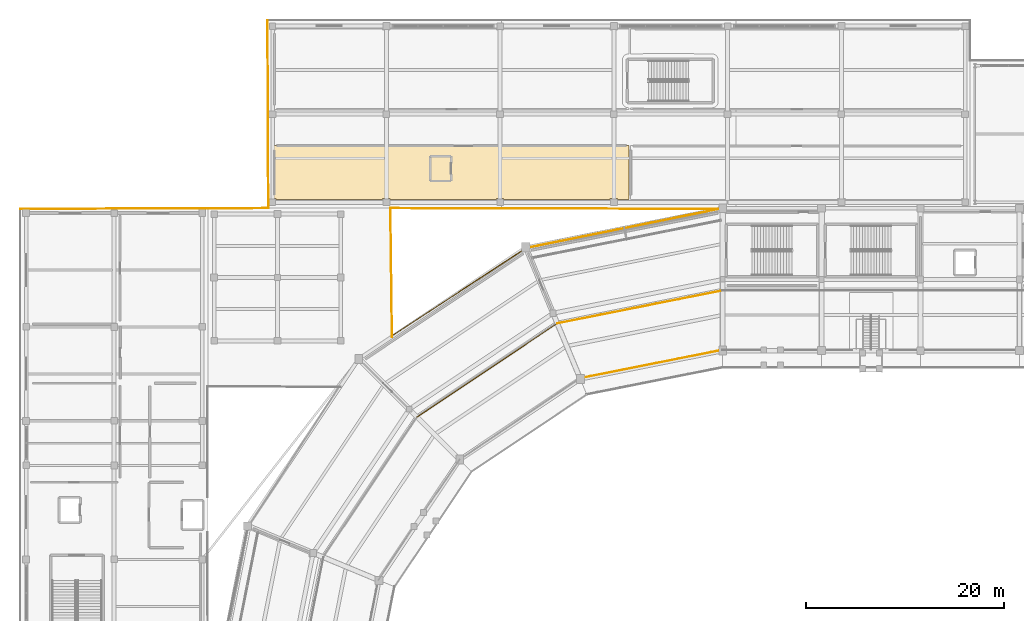
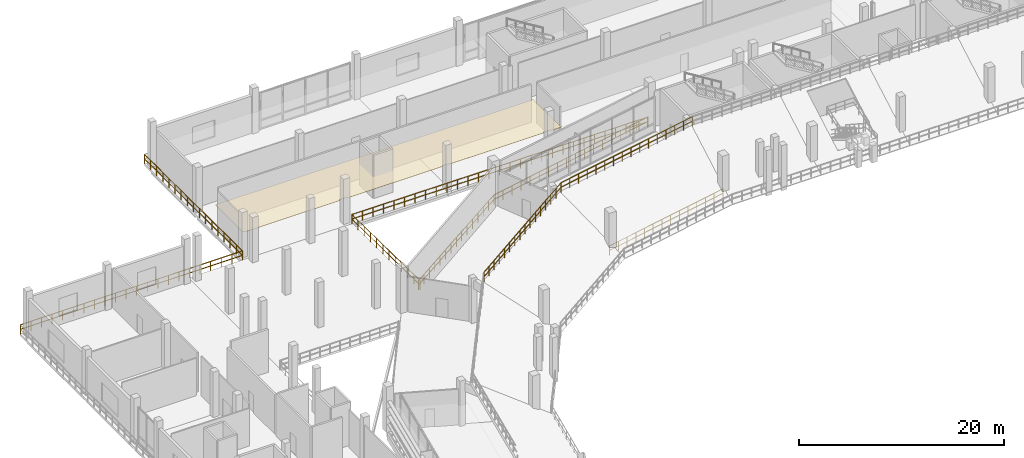
# One storey, part 119 of 127: 9 railings, 1 covering.
"""IFC4 building model written with IfcOpenShell, lengths in metres."""

from ifc_helpers import new_model, si_unit, direction, frame, origin, origin_2d, place, context, subcontext, project, spatial, polyline, circle, outline, extrude, material, layer, layer_set, type_object, element, save


model = new_model("IFC4")

# Units and contexts
model_context = context("Model", 3, precision=1e-05, world=origin(), true_north=direction((0.0, 1.0)))
body_context = subcontext(model_context, "Body", "Model", "MODEL_VIEW")
ifc_project = project(units=[si_unit("LENGTHUNIT", "METRE"), si_unit("AREAUNIT", "SQUARE_METRE"), si_unit("VOLUMEUNIT", "CUBIC_METRE"), si_unit("PLANEANGLEUNIT", "RADIAN"), si_unit("MASSUNIT", "GRAM", prefix="KILO")], contexts=[model_context])

# Site, building, storey
site_placement = place(None, origin())
site = spatial("IfcSite", under=ifc_project, at=site_placement, CompositionType="ELEMENT")
building_placement = place(site_placement, origin())
building = spatial("IfcBuilding", under=site, at=building_placement, Name="Candeia Ridge Stadium", CompositionType="ELEMENT")
storey_placement = place(building_placement, frame((0.0, 0.0, 10.800048828125)))
storey = spatial("IfcBuildingStorey", under=building, at=storey_placement, Name="L02", CompositionType="ELEMENT", Elevation=10.800048828125)

# Covering
ifc_material_1 = material(Name="Western Red Cedar Acoustic Slat", Category="wood")
ifc_layer_1 = layer(ifc_material_1, 0.044921875, Name="Western Red Cedar Acoustic Slat", Category="wood")
ifc_layer_set_1 = layer_set([ifc_layer_1], Name="Western Red Cedar Acoustic Slat")
covering_type = type_object("IfcCoveringType", Name="Slatted Cedar Acoustic Ceiling 45", PredefinedType="CEILING", material=ifc_layer_set_1)
covering_placement = place(storey_placement, frame((0.0, 0.0, 2.510009765625)))
element("IfcCovering", 1, at=covering_placement, inside=storey, type_object=covering_type, Name="Acoustic ceiling North Club Supporters Lounge Bowl Side", PredefinedType="CEILING", context=body_context, shape_type="SweptSolid", body=[
    extrude(outline(polyline([(25.670166015625, 153.302978515625), (25.670654296875, 153.305908203125), (25.67138671875, 153.30859375), (25.67236328125, 153.3115234375), (25.673583984375, 153.314208984375), (25.675048828125, 153.316650390625), (25.6767578125, 153.319091796875), (25.6787109375, 153.3212890625), (25.680908203125, 153.3232421875), (25.683349609375, 153.324951171875), (25.685791015625, 153.326416015625), (25.6884765625, 153.32763671875), (25.69140625, 153.32861328125), (25.694091796875, 153.329345703125), (25.697021484375, 153.329833984375), (25.699951171875, 153.330078125), (61.5, 153.330078125), (61.5029296875, 153.329833984375), (61.505859375, 153.329345703125), (61.5087890625, 153.32861328125), (61.511474609375, 153.32763671875), (61.51416015625, 153.326416015625), (61.5166015625, 153.324951171875), (61.51904296875, 153.3232421875), (61.521240234375, 153.3212890625), (61.523193359375, 153.319091796875), (61.52490234375, 153.316650390625), (61.526611328125, 153.314208984375), (61.527587890625, 153.3115234375), (61.52880859375, 153.30859375), (61.529296875, 153.305908203125), (61.52978515625, 153.302978515625), (61.530029296875, 153.300048828125), (61.530029296875, 147.89990234375), (61.52978515625, 147.897216796875), (61.529296875, 147.89404296875), (61.52880859375, 147.891357421875), (61.527587890625, 147.888427734375), (61.526611328125, 147.885986328125), (61.52490234375, 147.88330078125), (61.523193359375, 147.881103515625), (61.521240234375, 147.87890625), (61.51904296875, 147.876708984375), (61.5166015625, 147.875), (61.51416015625, 147.87353515625), (61.511474609375, 147.872314453125), (61.5087890625, 147.871337890625), (61.505859375, 147.87060546875), (61.5029296875, 147.8701171875), (61.5, 147.8701171875), (60.389892578125, 147.8701171875), (60.389892578125, 147.989990234375), (59.610107421875, 147.989990234375), (59.610107421875, 147.8701171875), (48.864990234375, 147.8701171875), (48.864990234375, 147.965087890625), (48.135009765625, 147.965087890625), (48.135009765625, 147.8701171875), (37.389892578125, 147.8701171875), (37.389892578125, 147.989990234375), (36.610107421875, 147.989990234375), (36.610107421875, 147.8701171875), (25.864990234375, 147.8701171875), (25.864990234375, 147.965087890625), (25.669921875, 147.965087890625), (25.669921875, 153.300048828125), (25.670166015625, 153.302978515625)])), origin(), (0.0, 0.0, 1.0), 0.0400390625),
])

# Railings
ifc_material_2 = material(Name="Galvanized Powder-Coated Steel", Category="steel")
ifc_layer_2 = layer(ifc_material_2, 0.074951171875, Name="Galvanized Powder-Coated Steel", Category="steel")
ifc_layer_set_2 = layer_set([ifc_layer_2], Name="Galvanized Powder-Coated Steel")
railing_type = type_object("IfcRailingType", Name="Spectator Bowl Front Guardrail 1120", PredefinedType="GUARDRAIL", material=ifc_layer_set_2)
railing_1_placement = place(storey_placement, frame((71.0, 138.679931640625, 4.949951171875)))
element("IfcRailing", 2, at=railing_1_placement, inside=storey, type_object=railing_type, Name="Stand T2 rear safety guardrail bay 08", PredefinedType="GUARDRAIL", context=body_context, shape_type="SweptSolid", body=[
    extrude(circle(Radius=0.02392578125, at=origin_2d()), frame((0.0, 0.0, 1.09619140625), z_axis=(-0.980785096916, -0.195091244467, 0.0), x_axis=(0.195091244467, -0.980785096916, 0.0)), (0.0, 0.0, 1.0), 17.04296875),
    extrude(circle(Radius=0.02392578125, at=origin_2d()), frame((0.0, 0.0, 0.56005859375), z_axis=(-0.980785096916, -0.195091244467, 0.0), x_axis=(0.195091244467, -0.980785096916, 0.0)), (0.0, 0.0, 1.0), 17.04296875),
    extrude(circle(Radius=0.02099609375, at=origin_2d()), origin(), (0.0, 0.0, 1.0), 1.072021484375),
    extrude(circle(Radius=0.02099609375, at=origin_2d()), frame((-1.1142578125, -0.2216796875, 0.0)), (0.0, 0.0, 1.0), 1.072021484375),
    extrude(circle(Radius=0.02099609375, at=origin_2d()), frame((-2.228759765625, -0.443359375, 0.0)), (0.0, 0.0, 1.0), 1.072021484375),
    extrude(circle(Radius=0.02099609375, at=origin_2d()), frame((-3.343017578125, -0.6650390625, 0.0)), (0.0, 0.0, 1.0), 1.072021484375),
    extrude(circle(Radius=0.02099609375, at=origin_2d()), frame((-4.45751953125, -0.88671875, 0.0)), (0.0, 0.0, 1.0), 1.072021484375),
    extrude(circle(Radius=0.02099609375, at=origin_2d()), frame((-5.57177734375, -1.1083984375, 0.0)), (0.0, 0.0, 1.0), 1.072021484375),
    extrude(circle(Radius=0.02099609375, at=origin_2d()), frame((-6.686279296875, -1.330078125, 0.0)), (0.0, 0.0, 1.0), 1.072021484375),
    extrude(circle(Radius=0.02099609375, at=origin_2d()), frame((-7.800537109375, -1.5517578125, 0.0)), (0.0, 0.0, 1.0), 1.072021484375),
    extrude(circle(Radius=0.02099609375, at=origin_2d()), frame((-8.9150390625, -1.773193359375, 0.0)), (0.0, 0.0, 1.0), 1.072021484375),
    extrude(circle(Radius=0.02099609375, at=origin_2d()), frame((-10.029296875, -1.994873046875, 0.0)), (0.0, 0.0, 1.0), 1.072021484375),
    extrude(circle(Radius=0.02099609375, at=origin_2d()), frame((-11.143798828125, -2.216552734375, 0.0)), (0.0, 0.0, 1.0), 1.072021484375),
    extrude(circle(Radius=0.02099609375, at=origin_2d()), frame((-12.258056640625, -2.438232421875, 0.0)), (0.0, 0.0, 1.0), 1.072021484375),
    extrude(circle(Radius=0.02099609375, at=origin_2d()), frame((-13.37255859375, -2.659912109375, 0.0)), (0.0, 0.0, 1.0), 1.072021484375),
    extrude(circle(Radius=0.02099609375, at=origin_2d()), frame((-14.48681640625, -2.881591796875, 0.0)), (0.0, 0.0, 1.0), 1.072021484375),
    extrude(circle(Radius=0.02099609375, at=origin_2d()), frame((-15.601318359375, -3.103271484375, 0.0)), (0.0, 0.0, 1.0), 1.072021484375),
    extrude(circle(Radius=0.02099609375, at=origin_2d()), frame((-16.715576171875, -3.324951171875, 0.0)), (0.0, 0.0, 1.0), 1.072021484375),
])
railing_2_placement = place(storey_placement, frame((54.284423828125, 135.35498046875, 4.949951171875)))
element("IfcRailing", 3, at=railing_2_placement, inside=storey, type_object=railing_type, Name="Stand T2 rear safety guardrail bay 09", PredefinedType="GUARDRAIL", context=body_context, shape_type="SweptSolid", body=[
    extrude(circle(Radius=0.02392578125, at=origin_2d()), frame((0.0, 0.0, 1.09619140625), z_axis=(-0.831474647059, -0.5555626979, 0.0), x_axis=(0.5555626979, -0.831474647059, 0.0)), (0.0, 0.0, 1.0), 17.043212890625),
    extrude(circle(Radius=0.02392578125, at=origin_2d()), frame((0.0, 0.0, 0.56005859375), z_axis=(-0.831474647059, -0.5555626979, 0.0), x_axis=(0.5555626979, -0.831474647059, 0.0)), (0.0, 0.0, 1.0), 17.043212890625),
    extrude(circle(Radius=0.02099609375, at=origin_2d()), origin(), (0.0, 0.0, 1.0), 1.072021484375),
    extrude(circle(Radius=0.02099609375, at=origin_2d()), frame((-0.94482421875, -0.63134765625, 0.0)), (0.0, 0.0, 1.0), 1.072021484375),
    extrude(circle(Radius=0.02099609375, at=origin_2d()), frame((-1.889404296875, -1.262451171875, 0.0)), (0.0, 0.0, 1.0), 1.072021484375),
    extrude(circle(Radius=0.02099609375, at=origin_2d()), frame((-2.834228515625, -1.893798828125, 0.0)), (0.0, 0.0, 1.0), 1.072021484375),
    extrude(circle(Radius=0.02099609375, at=origin_2d()), frame((-3.77880859375, -2.52490234375, 0.0)), (0.0, 0.0, 1.0), 1.072021484375),
    extrude(circle(Radius=0.02099609375, at=origin_2d()), frame((-4.7236328125, -3.15625, 0.0)), (0.0, 0.0, 1.0), 1.072021484375),
    extrude(circle(Radius=0.02099609375, at=origin_2d()), frame((-5.66845703125, -3.787353515625, 0.0)), (0.0, 0.0, 1.0), 1.072021484375),
    extrude(circle(Radius=0.02099609375, at=origin_2d()), frame((-6.613037109375, -4.418701171875, 0.0)), (0.0, 0.0, 1.0), 1.072021484375),
    extrude(circle(Radius=0.02099609375, at=origin_2d()), frame((-7.557861328125, -5.0498046875, 0.0)), (0.0, 0.0, 1.0), 1.072021484375),
    extrude(circle(Radius=0.02099609375, at=origin_2d()), frame((-8.50244140625, -5.68115234375, 0.0)), (0.0, 0.0, 1.0), 1.072021484375),
    extrude(circle(Radius=0.02099609375, at=origin_2d()), frame((-9.447265625, -6.312255859375, 0.0)), (0.0, 0.0, 1.0), 1.072021484375),
    extrude(circle(Radius=0.02099609375, at=origin_2d()), frame((-10.39208984375, -6.943603515625, 0.0)), (0.0, 0.0, 1.0), 1.072021484375),
    extrude(circle(Radius=0.02099609375, at=origin_2d()), frame((-11.336669921875, -7.57470703125, 0.0)), (0.0, 0.0, 1.0), 1.072021484375),
    extrude(circle(Radius=0.02099609375, at=origin_2d()), frame((-12.281494140625, -8.2060546875, 0.0)), (0.0, 0.0, 1.0), 1.072021484375),
    extrude(circle(Radius=0.02099609375, at=origin_2d()), frame((-13.22607421875, -8.837158203125, 0.0)), (0.0, 0.0, 1.0), 1.072021484375),
    extrude(circle(Radius=0.02099609375, at=origin_2d()), frame((-14.1708984375, -9.468505859375, 0.0)), (0.0, 0.0, 1.0), 1.072021484375),
])
railing_3_placement = place(storey_placement, frame((0.0, 146.919921875, 0.0)))
element("IfcRailing", 4, at=railing_3_placement, inside=storey, type_object=railing_type, Name="Deck edge safety guardrail GR-DE-L02-0054", PredefinedType="GUARDRAIL", context=body_context, shape_type="SweptSolid", body=[
    extrude(circle(Radius=0.02392578125, at=origin_2d()), frame((0.0, 0.0, 1.09619140625), z_axis=(0.999994902741, 0.003192881474, 0.0), x_axis=(-0.003192881474, 0.999994902741, 0.0)), (0.0, 0.0, 1.0), 25.080322265625),
    extrude(circle(Radius=0.02392578125, at=origin_2d()), frame((0.0, 0.0, 0.56005859375), z_axis=(0.999994902741, 0.003192881474, 0.0), x_axis=(-0.003192881474, 0.999994902741, 0.0)), (0.0, 0.0, 1.0), 25.080322265625),
    extrude(circle(Radius=0.02099609375, at=origin_2d()), origin(), (0.0, 0.0, 1.0), 1.072021484375),
    extrude(circle(Radius=0.02099609375, at=origin_2d()), frame((1.1943359375, 0.00390625, 0.0)), (0.0, 0.0, 1.0), 1.072021484375),
    extrude(circle(Radius=0.02099609375, at=origin_2d()), frame((2.388671875, 0.007568359375, 0.0)), (0.0, 0.0, 1.0), 1.072021484375),
    extrude(circle(Radius=0.02099609375, at=origin_2d()), frame((3.582763671875, 0.011474609375, 0.0)), (0.0, 0.0, 1.0), 1.072021484375),
    extrude(circle(Radius=0.02099609375, at=origin_2d()), frame((4.777099609375, 0.01513671875, 0.0)), (0.0, 0.0, 1.0), 1.072021484375),
    extrude(circle(Radius=0.02099609375, at=origin_2d()), frame((5.971435546875, 0.01904296875, 0.0)), (0.0, 0.0, 1.0), 1.072021484375),
    extrude(circle(Radius=0.02099609375, at=origin_2d()), frame((7.165771484375, 0.02294921875, 0.0)), (0.0, 0.0, 1.0), 1.072021484375),
    extrude(circle(Radius=0.02099609375, at=origin_2d()), frame((8.360107421875, 0.026611328125, 0.0)), (0.0, 0.0, 1.0), 1.072021484375),
    extrude(circle(Radius=0.02099609375, at=origin_2d()), frame((9.55419921875, 0.030517578125, 0.0)), (0.0, 0.0, 1.0), 1.072021484375),
    extrude(circle(Radius=0.02099609375, at=origin_2d()), frame((10.74853515625, 0.034423828125, 0.0)), (0.0, 0.0, 1.0), 1.072021484375),
    extrude(circle(Radius=0.02099609375, at=origin_2d()), frame((11.94287109375, 0.0380859375, 0.0)), (0.0, 0.0, 1.0), 1.072021484375),
    extrude(circle(Radius=0.02099609375, at=origin_2d()), frame((13.13720703125, 0.0419921875, 0.0)), (0.0, 0.0, 1.0), 1.072021484375),
    extrude(circle(Radius=0.02099609375, at=origin_2d()), frame((14.33154296875, 0.045654296875, 0.0)), (0.0, 0.0, 1.0), 1.072021484375),
    extrude(circle(Radius=0.02099609375, at=origin_2d()), frame((15.52587890625, 0.049560546875, 0.0)), (0.0, 0.0, 1.0), 1.072021484375),
    extrude(circle(Radius=0.02099609375, at=origin_2d()), frame((16.719970703125, 0.053466796875, 0.0)), (0.0, 0.0, 1.0), 1.072021484375),
    extrude(circle(Radius=0.02099609375, at=origin_2d()), frame((17.914306640625, 0.05712890625, 0.0)), (0.0, 0.0, 1.0), 1.072021484375),
    extrude(circle(Radius=0.02099609375, at=origin_2d()), frame((19.108642578125, 0.06103515625, 0.0)), (0.0, 0.0, 1.0), 1.072021484375),
    extrude(circle(Radius=0.02099609375, at=origin_2d()), frame((20.302978515625, 0.06494140625, 0.0)), (0.0, 0.0, 1.0), 1.072021484375),
    extrude(circle(Radius=0.02099609375, at=origin_2d()), frame((21.497314453125, 0.068603515625, 0.0)), (0.0, 0.0, 1.0), 1.072021484375),
    extrude(circle(Radius=0.02099609375, at=origin_2d()), frame((22.69140625, 0.072509765625, 0.0)), (0.0, 0.0, 1.0), 1.072021484375),
    extrude(circle(Radius=0.02099609375, at=origin_2d()), frame((23.8857421875, 0.076171875, 0.0)), (0.0, 0.0, 1.0), 1.072021484375),
    extrude(circle(Radius=0.02099609375, at=origin_2d()), frame((25.080078125, 0.080078125, 0.0)), (0.0, 0.0, 1.0), 1.072021484375),
])
railing_4_placement = place(storey_placement, frame((25.080078125, 147.0, 0.0)))
element("IfcRailing", 5, at=railing_4_placement, inside=storey, type_object=railing_type, Name="Deck edge safety guardrail GR-DE-L02-0055", PredefinedType="GUARDRAIL", context=body_context, shape_type="SweptSolid", body=[
    extrude(circle(Radius=0.02392578125, at=origin_2d()), frame((0.0, 0.0, 1.09619140625), z_axis=(-0.004214600726, 0.999991118531, 0.0), x_axis=(-0.999991118531, -0.004214600726, 0.0)), (0.0, 0.0, 1.0), 19.000244140625),
    extrude(circle(Radius=0.02392578125, at=origin_2d()), frame((0.0, 0.0, 0.56005859375), z_axis=(-0.004214600726, 0.999991118531, 0.0), x_axis=(-0.999991118531, -0.004214600726, 0.0)), (0.0, 0.0, 1.0), 19.000244140625),
    extrude(circle(Radius=0.02099609375, at=origin_2d()), origin(), (0.0, 0.0, 1.0), 1.072021484375),
    extrude(circle(Radius=0.02099609375, at=origin_2d()), frame((-0.0048828125, 1.1875, 0.0)), (0.0, 0.0, 1.0), 1.072021484375),
    extrude(circle(Radius=0.02099609375, at=origin_2d()), frame((-0.010009765625, 2.375, 0.0)), (0.0, 0.0, 1.0), 1.072021484375),
    extrude(circle(Radius=0.02099609375, at=origin_2d()), frame((-0.01513671875, 3.5625, 0.0)), (0.0, 0.0, 1.0), 1.072021484375),
    extrude(circle(Radius=0.02099609375, at=origin_2d()), frame((-0.02001953125, 4.75, 0.0)), (0.0, 0.0, 1.0), 1.072021484375),
    extrude(circle(Radius=0.02099609375, at=origin_2d()), frame((-0.02490234375, 5.9375, 0.0)), (0.0, 0.0, 1.0), 1.072021484375),
    extrude(circle(Radius=0.02099609375, at=origin_2d()), frame((-0.030029296875, 7.125, 0.0)), (0.0, 0.0, 1.0), 1.072021484375),
    extrude(circle(Radius=0.02099609375, at=origin_2d()), frame((-0.03515625, 8.3125, 0.0)), (0.0, 0.0, 1.0), 1.072021484375),
    extrude(circle(Radius=0.02099609375, at=origin_2d()), frame((-0.0400390625, 9.5, 0.0)), (0.0, 0.0, 1.0), 1.072021484375),
    extrude(circle(Radius=0.02099609375, at=origin_2d()), frame((-0.044921875, 10.6875, 0.0)), (0.0, 0.0, 1.0), 1.072021484375),
    extrude(circle(Radius=0.02099609375, at=origin_2d()), frame((-0.050048828125, 11.875, 0.0)), (0.0, 0.0, 1.0), 1.072021484375),
    extrude(circle(Radius=0.02099609375, at=origin_2d()), frame((-0.05517578125, 13.0625, 0.0)), (0.0, 0.0, 1.0), 1.072021484375),
    extrude(circle(Radius=0.02099609375, at=origin_2d()), frame((-0.06005859375, 14.25, 0.0)), (0.0, 0.0, 1.0), 1.072021484375),
    extrude(circle(Radius=0.02099609375, at=origin_2d()), frame((-0.06494140625, 15.4375, 0.0)), (0.0, 0.0, 1.0), 1.072021484375),
    extrude(circle(Radius=0.02099609375, at=origin_2d()), frame((-0.070068359375, 16.625, 0.0)), (0.0, 0.0, 1.0), 1.072021484375),
    extrude(circle(Radius=0.02099609375, at=origin_2d()), frame((-0.0751953125, 17.8125, 0.0)), (0.0, 0.0, 1.0), 1.072021484375),
    extrude(circle(Radius=0.02099609375, at=origin_2d()), frame((-0.080078125, 19.0, 0.0)), (0.0, 0.0, 1.0), 1.072021484375),
])
railing_5_placement = place(storey_placement, frame((70.984375, 132.678466796875, 0.0)))
element("IfcRailing", 6, at=railing_5_placement, inside=storey, type_object=railing_type, Name="Deck edge safety guardrail GR-DE-L02-0106", PredefinedType="GUARDRAIL", context=body_context, shape_type="SweptSolid", body=[
    extrude(circle(Radius=0.02392578125, at=origin_2d()), frame((0.0, 0.0, 1.09619140625), z_axis=(-0.98070502773, -0.19549334665, 0.0), x_axis=(0.19549334665, -0.98070502773, 0.0)), (0.0, 0.0, 1.0), 14.701416015625),
    extrude(circle(Radius=0.02392578125, at=origin_2d()), frame((0.0, 0.0, 0.56005859375), z_axis=(-0.98070502773, -0.19549334665, 0.0), x_axis=(0.19549334665, -0.98070502773, 0.0)), (0.0, 0.0, 1.0), 14.701416015625),
    extrude(circle(Radius=0.02099609375, at=origin_2d()), origin(), (0.0, 0.0, 1.0), 1.072021484375),
    extrude(circle(Radius=0.02099609375, at=origin_2d()), frame((-1.109130859375, -0.22119140625, 0.0)), (0.0, 0.0, 1.0), 1.072021484375),
    extrude(circle(Radius=0.02099609375, at=origin_2d()), frame((-2.218017578125, -0.442138671875, 0.0)), (0.0, 0.0, 1.0), 1.072021484375),
    extrude(circle(Radius=0.02099609375, at=origin_2d()), frame((-3.3271484375, -0.663330078125, 0.0)), (0.0, 0.0, 1.0), 1.072021484375),
    extrude(circle(Radius=0.02099609375, at=origin_2d()), frame((-4.436279296875, -0.88427734375, 0.0)), (0.0, 0.0, 1.0), 1.072021484375),
    extrude(circle(Radius=0.02099609375, at=origin_2d()), frame((-5.545166015625, -1.10546875, 0.0)), (0.0, 0.0, 1.0), 1.072021484375),
    extrude(circle(Radius=0.02099609375, at=origin_2d()), frame((-6.654296875, -1.326416015625, 0.0)), (0.0, 0.0, 1.0), 1.072021484375),
    extrude(circle(Radius=0.02099609375, at=origin_2d()), frame((-7.763427734375, -1.547607421875, 0.0)), (0.0, 0.0, 1.0), 1.072021484375),
    extrude(circle(Radius=0.02099609375, at=origin_2d()), frame((-8.87255859375, -1.7685546875, 0.0)), (0.0, 0.0, 1.0), 1.072021484375),
    extrude(circle(Radius=0.02099609375, at=origin_2d()), frame((-9.9814453125, -1.98974609375, 0.0)), (0.0, 0.0, 1.0), 1.072021484375),
    extrude(circle(Radius=0.02099609375, at=origin_2d()), frame((-11.090576171875, -2.210693359375, 0.0)), (0.0, 0.0, 1.0), 1.072021484375),
    extrude(circle(Radius=0.02099609375, at=origin_2d()), frame((-12.19970703125, -2.431884765625, 0.0)), (0.0, 0.0, 1.0), 1.072021484375),
    extrude(circle(Radius=0.02099609375, at=origin_2d()), frame((-13.30859375, -2.65283203125, 0.0)), (0.0, 0.0, 1.0), 1.072021484375),
    extrude(circle(Radius=0.02099609375, at=origin_2d()), frame((-14.417724609375, -2.8740234375, 0.0)), (0.0, 0.0, 1.0), 1.072021484375),
])
railing_6_placement = place(storey_placement, frame((37.45556640625, 134.020751953125, 0.0)))
element("IfcRailing", 7, at=railing_6_placement, inside=storey, type_object=railing_type, Name="Deck edge safety guardrail GR-DE-L02-0131", PredefinedType="GUARDRAIL", context=body_context, shape_type="SweptSolid", body=[
    extrude(circle(Radius=0.02392578125, at=origin_2d()), frame((0.0, 0.0, 1.09619140625), z_axis=(0.836677098571, 0.547696478651, 0.0), x_axis=(-0.547696478651, 0.836677098571, 0.0)), (0.0, 0.0, 1.0), 16.3271484375),
    extrude(circle(Radius=0.02392578125, at=origin_2d()), frame((0.0, 0.0, 0.56005859375), z_axis=(0.836677098571, 0.547696478651, 0.0), x_axis=(-0.547696478651, 0.836677098571, 0.0)), (0.0, 0.0, 1.0), 16.3271484375),
    extrude(circle(Radius=0.02099609375, at=origin_2d()), origin(), (0.0, 0.0, 1.0), 1.072021484375),
    extrude(circle(Radius=0.02099609375, at=origin_2d()), frame((0.975830078125, 0.638671875, 0.0)), (0.0, 0.0, 1.0), 1.072021484375),
    extrude(circle(Radius=0.02099609375, at=origin_2d()), frame((1.951416015625, 1.277587890625, 0.0)), (0.0, 0.0, 1.0), 1.072021484375),
    extrude(circle(Radius=0.02099609375, at=origin_2d()), frame((2.92724609375, 1.916259765625, 0.0)), (0.0, 0.0, 1.0), 1.072021484375),
    extrude(circle(Radius=0.02099609375, at=origin_2d()), frame((3.903076171875, 2.554931640625, 0.0)), (0.0, 0.0, 1.0), 1.072021484375),
    extrude(circle(Radius=0.02099609375, at=origin_2d()), frame((4.87890625, 3.193603515625, 0.0)), (0.0, 0.0, 1.0), 1.072021484375),
    extrude(circle(Radius=0.02099609375, at=origin_2d()), frame((5.8544921875, 3.83251953125, 0.0)), (0.0, 0.0, 1.0), 1.072021484375),
    extrude(circle(Radius=0.02099609375, at=origin_2d()), frame((6.830322265625, 4.47119140625, 0.0)), (0.0, 0.0, 1.0), 1.072021484375),
    extrude(circle(Radius=0.02099609375, at=origin_2d()), frame((7.80615234375, 5.10986328125, 0.0)), (0.0, 0.0, 1.0), 1.072021484375),
    extrude(circle(Radius=0.02099609375, at=origin_2d()), frame((8.78173828125, 5.748779296875, 0.0)), (0.0, 0.0, 1.0), 1.072021484375),
    extrude(circle(Radius=0.02099609375, at=origin_2d()), frame((9.757568359375, 6.387451171875, 0.0)), (0.0, 0.0, 1.0), 1.072021484375),
    extrude(circle(Radius=0.02099609375, at=origin_2d()), frame((10.7333984375, 7.026123046875, 0.0)), (0.0, 0.0, 1.0), 1.072021484375),
    extrude(circle(Radius=0.02099609375, at=origin_2d()), frame((11.709228515625, 7.664794921875, 0.0)), (0.0, 0.0, 1.0), 1.072021484375),
    extrude(circle(Radius=0.02099609375, at=origin_2d()), frame((12.684814453125, 8.3037109375, 0.0)), (0.0, 0.0, 1.0), 1.072021484375),
    extrude(circle(Radius=0.02099609375, at=origin_2d()), frame((13.66064453125, 8.9423828125, 0.0)), (0.0, 0.0, 1.0), 1.072021484375),
])
railing_7_placement = place(storey_placement, frame((51.1162109375, 142.963134765625, 0.0)))
element("IfcRailing", 8, at=railing_7_placement, inside=storey, type_object=railing_type, Name="Deck edge safety guardrail GR-DE-L02-0132", PredefinedType="GUARDRAIL", context=body_context, shape_type="SweptSolid", body=[
    extrude(circle(Radius=0.02392578125, at=origin_2d()), frame((0.0, 0.0, 1.09619140625), z_axis=(0.980074126306, 0.198632089417, 0.0), x_axis=(-0.198632089417, 0.980074126306, 0.0)), (0.0, 0.0, 1.0), 20.055419921875),
    extrude(circle(Radius=0.02392578125, at=origin_2d()), frame((0.0, 0.0, 0.56005859375), z_axis=(0.980074126306, 0.198632089417, 0.0), x_axis=(-0.198632089417, 0.980074126306, 0.0)), (0.0, 0.0, 1.0), 20.055419921875),
    extrude(circle(Radius=0.02099609375, at=origin_2d()), origin(), (0.0, 0.0, 1.0), 1.072021484375),
    extrude(circle(Radius=0.02099609375, at=origin_2d()), frame((1.15625, 0.234375, 0.0)), (0.0, 0.0, 1.0), 1.072021484375),
    extrude(circle(Radius=0.02099609375, at=origin_2d()), frame((2.3125, 0.46875, 0.0)), (0.0, 0.0, 1.0), 1.072021484375),
    extrude(circle(Radius=0.02099609375, at=origin_2d()), frame((3.46875, 0.702880859375, 0.0)), (0.0, 0.0, 1.0), 1.072021484375),
    extrude(circle(Radius=0.02099609375, at=origin_2d()), frame((4.625, 0.937255859375, 0.0)), (0.0, 0.0, 1.0), 1.072021484375),
    extrude(circle(Radius=0.02099609375, at=origin_2d()), frame((5.781005859375, 1.171630859375, 0.0)), (0.0, 0.0, 1.0), 1.072021484375),
    extrude(circle(Radius=0.02099609375, at=origin_2d()), frame((6.937255859375, 1.406005859375, 0.0)), (0.0, 0.0, 1.0), 1.072021484375),
    extrude(circle(Radius=0.02099609375, at=origin_2d()), frame((8.093505859375, 1.640380859375, 0.0)), (0.0, 0.0, 1.0), 1.072021484375),
    extrude(circle(Radius=0.02099609375, at=origin_2d()), frame((9.249755859375, 1.874755859375, 0.0)), (0.0, 0.0, 1.0), 1.072021484375),
    extrude(circle(Radius=0.02099609375, at=origin_2d()), frame((10.406005859375, 2.10888671875, 0.0)), (0.0, 0.0, 1.0), 1.072021484375),
    extrude(circle(Radius=0.02099609375, at=origin_2d()), frame((11.562255859375, 2.34326171875, 0.0)), (0.0, 0.0, 1.0), 1.072021484375),
    extrude(circle(Radius=0.02099609375, at=origin_2d()), frame((12.718505859375, 2.57763671875, 0.0)), (0.0, 0.0, 1.0), 1.072021484375),
    extrude(circle(Radius=0.02099609375, at=origin_2d()), frame((13.874755859375, 2.81201171875, 0.0)), (0.0, 0.0, 1.0), 1.072021484375),
    extrude(circle(Radius=0.02099609375, at=origin_2d()), frame((15.03076171875, 3.04638671875, 0.0)), (0.0, 0.0, 1.0), 1.072021484375),
    extrude(circle(Radius=0.02099609375, at=origin_2d()), frame((16.18701171875, 3.28076171875, 0.0)), (0.0, 0.0, 1.0), 1.072021484375),
    extrude(circle(Radius=0.02099609375, at=origin_2d()), frame((17.34326171875, 3.514892578125, 0.0)), (0.0, 0.0, 1.0), 1.072021484375),
    extrude(circle(Radius=0.02099609375, at=origin_2d()), frame((18.49951171875, 3.749267578125, 0.0)), (0.0, 0.0, 1.0), 1.072021484375),
    extrude(circle(Radius=0.02099609375, at=origin_2d()), frame((19.65576171875, 3.983642578125, 0.0)), (0.0, 0.0, 1.0), 1.072021484375),
])
railing_8_placement = place(storey_placement, frame((70.686279296875, 146.919921875, 0.0)))
element("IfcRailing", 9, at=railing_8_placement, inside=storey, type_object=railing_type, Name="Deck edge safety guardrail GR-DE-L02-0133", PredefinedType="GUARDRAIL", context=body_context, shape_type="SweptSolid", body=[
    extrude(circle(Radius=0.02392578125, at=origin_2d()), frame((0.0, 0.0, 1.09619140625), z_axis=(-0.999997102754, 0.002407173469, 0.0), x_axis=(-0.002407173469, -0.999997102754, 0.0)), (0.0, 0.0, 1.0), 33.266357421875),
    extrude(circle(Radius=0.02392578125, at=origin_2d()), frame((0.0, 0.0, 0.56005859375), z_axis=(-0.999997102754, 0.002407173469, 0.0), x_axis=(-0.002407173469, -0.999997102754, 0.0)), (0.0, 0.0, 1.0), 33.266357421875),
    extrude(circle(Radius=0.02099609375, at=origin_2d()), origin(), (0.0, 0.0, 1.0), 1.072021484375),
    extrude(circle(Radius=0.02099609375, at=origin_2d()), frame((-1.18798828125, 0.0029296875, 0.0)), (0.0, 0.0, 1.0), 1.072021484375),
    extrude(circle(Radius=0.02099609375, at=origin_2d()), frame((-2.376220703125, 0.005615234375, 0.0)), (0.0, 0.0, 1.0), 1.072021484375),
    extrude(circle(Radius=0.02099609375, at=origin_2d()), frame((-3.564208984375, 0.008544921875, 0.0)), (0.0, 0.0, 1.0), 1.072021484375),
    extrude(circle(Radius=0.02099609375, at=origin_2d()), frame((-4.75244140625, 0.011474609375, 0.0)), (0.0, 0.0, 1.0), 1.072021484375),
    extrude(circle(Radius=0.02099609375, at=origin_2d()), frame((-5.9404296875, 0.014404296875, 0.0)), (0.0, 0.0, 1.0), 1.072021484375),
    extrude(circle(Radius=0.02099609375, at=origin_2d()), frame((-7.12841796875, 0.01708984375, 0.0)), (0.0, 0.0, 1.0), 1.072021484375),
    extrude(circle(Radius=0.02099609375, at=origin_2d()), frame((-8.316650390625, 0.02001953125, 0.0)), (0.0, 0.0, 1.0), 1.072021484375),
    extrude(circle(Radius=0.02099609375, at=origin_2d()), frame((-9.504638671875, 0.02294921875, 0.0)), (0.0, 0.0, 1.0), 1.072021484375),
    extrude(circle(Radius=0.02099609375, at=origin_2d()), frame((-10.69287109375, 0.025634765625, 0.0)), (0.0, 0.0, 1.0), 1.072021484375),
    extrude(circle(Radius=0.02099609375, at=origin_2d()), frame((-11.880859375, 0.028564453125, 0.0)), (0.0, 0.0, 1.0), 1.072021484375),
    extrude(circle(Radius=0.02099609375, at=origin_2d()), frame((-13.06884765625, 0.031494140625, 0.0)), (0.0, 0.0, 1.0), 1.072021484375),
    extrude(circle(Radius=0.02099609375, at=origin_2d()), frame((-14.257080078125, 0.034423828125, 0.0)), (0.0, 0.0, 1.0), 1.072021484375),
    extrude(circle(Radius=0.02099609375, at=origin_2d()), frame((-15.445068359375, 0.037109375, 0.0)), (0.0, 0.0, 1.0), 1.072021484375),
    extrude(circle(Radius=0.02099609375, at=origin_2d()), frame((-16.63330078125, 0.0400390625, 0.0)), (0.0, 0.0, 1.0), 1.072021484375),
    extrude(circle(Radius=0.02099609375, at=origin_2d()), frame((-17.8212890625, 0.04296875, 0.0)), (0.0, 0.0, 1.0), 1.072021484375),
    extrude(circle(Radius=0.02099609375, at=origin_2d()), frame((-19.00927734375, 0.045654296875, 0.0)), (0.0, 0.0, 1.0), 1.072021484375),
    extrude(circle(Radius=0.02099609375, at=origin_2d()), frame((-20.197509765625, 0.048583984375, 0.0)), (0.0, 0.0, 1.0), 1.072021484375),
    extrude(circle(Radius=0.02099609375, at=origin_2d()), frame((-21.385498046875, 0.051513671875, 0.0)), (0.0, 0.0, 1.0), 1.072021484375),
    extrude(circle(Radius=0.02099609375, at=origin_2d()), frame((-22.573486328125, 0.054443359375, 0.0)), (0.0, 0.0, 1.0), 1.072021484375),
    extrude(circle(Radius=0.02099609375, at=origin_2d()), frame((-23.76171875, 0.05712890625, 0.0)), (0.0, 0.0, 1.0), 1.072021484375),
    extrude(circle(Radius=0.02099609375, at=origin_2d()), frame((-24.94970703125, 0.06005859375, 0.0)), (0.0, 0.0, 1.0), 1.072021484375),
    extrude(circle(Radius=0.02099609375, at=origin_2d()), frame((-26.137939453125, 0.06298828125, 0.0)), (0.0, 0.0, 1.0), 1.072021484375),
    extrude(circle(Radius=0.02099609375, at=origin_2d()), frame((-27.325927734375, 0.065673828125, 0.0)), (0.0, 0.0, 1.0), 1.072021484375),
    extrude(circle(Radius=0.02099609375, at=origin_2d()), frame((-28.513916015625, 0.068603515625, 0.0)), (0.0, 0.0, 1.0), 1.072021484375),
    extrude(circle(Radius=0.02099609375, at=origin_2d()), frame((-29.7021484375, 0.071533203125, 0.0)), (0.0, 0.0, 1.0), 1.072021484375),
    extrude(circle(Radius=0.02099609375, at=origin_2d()), frame((-30.89013671875, 0.074462890625, 0.0)), (0.0, 0.0, 1.0), 1.072021484375),
    extrude(circle(Radius=0.02099609375, at=origin_2d()), frame((-32.078369140625, 0.0771484375, 0.0)), (0.0, 0.0, 1.0), 1.072021484375),
    extrude(circle(Radius=0.02099609375, at=origin_2d()), frame((-33.266357421875, 0.080078125, 0.0)), (0.0, 0.0, 1.0), 1.072021484375),
])
railing_9_placement = place(storey_placement, frame((37.419921875, 147.0, 0.0)))
element("IfcRailing", 10, at=railing_9_placement, inside=storey, type_object=railing_type, Name="Deck edge safety guardrail GR-DE-L02-0134", PredefinedType="GUARDRAIL", context=body_context, shape_type="SweptSolid", body=[
    extrude(circle(Radius=0.02392578125, at=origin_2d()), frame((0.0, 0.0, 1.09619140625), z_axis=(0.012275443015, -0.999924653911, 0.0), x_axis=(0.999924653911, 0.012275443015, 0.0)), (0.0, 0.0, 1.0), 13.046875),
    extrude(circle(Radius=0.02392578125, at=origin_2d()), frame((0.0, 0.0, 0.56005859375), z_axis=(0.012275443015, -0.999924653911, 0.0), x_axis=(0.999924653911, 0.012275443015, 0.0)), (0.0, 0.0, 1.0), 13.046875),
    extrude(circle(Radius=0.02099609375, at=origin_2d()), origin(), (0.0, 0.0, 1.0), 1.072021484375),
    extrude(circle(Radius=0.02099609375, at=origin_2d()), frame((0.0146484375, -1.18603515625, 0.0)), (0.0, 0.0, 1.0), 1.072021484375),
    extrude(circle(Radius=0.02099609375, at=origin_2d()), frame((0.029052734375, -2.3720703125, 0.0)), (0.0, 0.0, 1.0), 1.072021484375),
    extrude(circle(Radius=0.02099609375, at=origin_2d()), frame((0.043701171875, -3.557861328125, 0.0)), (0.0, 0.0, 1.0), 1.072021484375),
    extrude(circle(Radius=0.02099609375, at=origin_2d()), frame((0.058349609375, -4.743896484375, 0.0)), (0.0, 0.0, 1.0), 1.072021484375),
    extrude(circle(Radius=0.02099609375, at=origin_2d()), frame((0.07275390625, -5.929931640625, 0.0)), (0.0, 0.0, 1.0), 1.072021484375),
    extrude(circle(Radius=0.02099609375, at=origin_2d()), frame((0.08740234375, -7.115966796875, 0.0)), (0.0, 0.0, 1.0), 1.072021484375),
    extrude(circle(Radius=0.02099609375, at=origin_2d()), frame((0.101806640625, -8.302001953125, 0.0)), (0.0, 0.0, 1.0), 1.072021484375),
    extrude(circle(Radius=0.02099609375, at=origin_2d()), frame((0.116455078125, -9.488037109375, 0.0)), (0.0, 0.0, 1.0), 1.072021484375),
    extrude(circle(Radius=0.02099609375, at=origin_2d()), frame((0.131103515625, -10.673828125, 0.0)), (0.0, 0.0, 1.0), 1.072021484375),
    extrude(circle(Radius=0.02099609375, at=origin_2d()), frame((0.1455078125, -11.85986328125, 0.0)), (0.0, 0.0, 1.0), 1.072021484375),
    extrude(circle(Radius=0.02099609375, at=origin_2d()), frame((0.16015625, -13.0458984375, 0.0)), (0.0, 0.0, 1.0), 1.072021484375),
])

save(model, "model.ifc")
